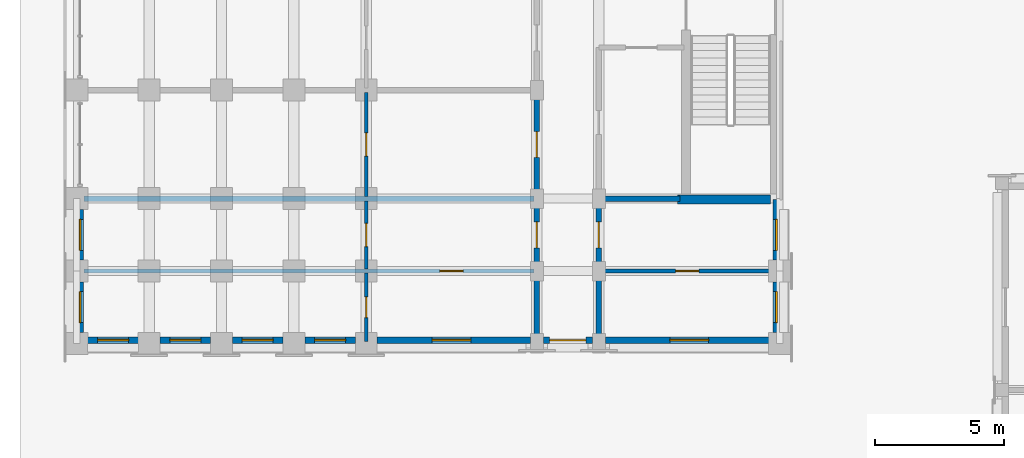
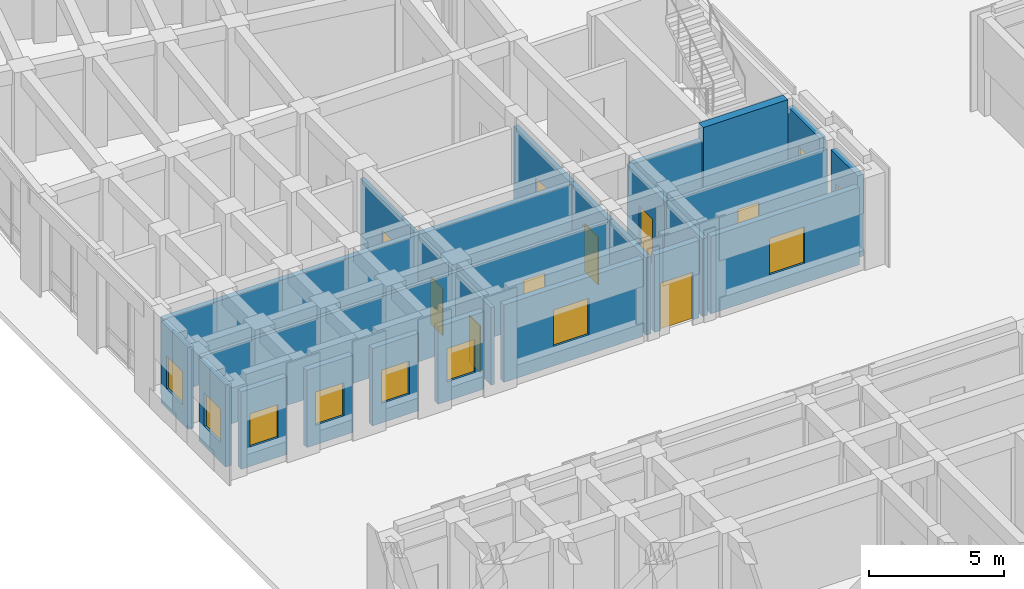
# One storey, part 97 of 135: 24 walls, 10 windows, 9 doors, 19 openings.
"""IFC4 building model written with IfcOpenShell, lengths in metres."""

from ifc_helpers import new_model, si_unit, direction, frame, frame_2d, origin, place, context, subcontext, project, spatial, rectangle, extrude, material, layer, layer_set, type_object, element, fill, save


model = new_model("IFC4")

# Units and contexts
model_context = context("Model", 3, precision=1e-05, world=origin(), true_north=direction((0.0, 1.0)))
body_context = subcontext(model_context, "Body", "Model", "MODEL_VIEW")
ifc_project = project(units=[si_unit("LENGTHUNIT", "METRE"), si_unit("AREAUNIT", "SQUARE_METRE"), si_unit("VOLUMEUNIT", "CUBIC_METRE"), si_unit("PLANEANGLEUNIT", "RADIAN"), si_unit("MASSUNIT", "GRAM", prefix="KILO")], contexts=[model_context])

# Site, building, storey
site_placement = place(None, origin())
site = spatial("IfcSite", under=ifc_project, at=site_placement, CompositionType="ELEMENT")
building_placement = place(site_placement, origin())
building = spatial("IfcBuilding", under=site, at=building_placement, Name="Kiranvali Square Residences", CompositionType="ELEMENT")
storey_placement = place(building_placement, origin())
storey = spatial("IfcBuildingStorey", under=building, at=storey_placement, Name="L00", CompositionType="ELEMENT", Elevation=0.0)

# Wall, opening, door
ifc_material_1 = material(Name="Autoclaved aerated concrete blockwork masonry", Category="masonry")
ifc_layer_1 = layer(ifc_material_1, 0.199951171875)
ifc_layer_set_1 = layer_set([ifc_layer_1], Name="Autoclaved aerated concrete blockwork masonry")
wall_type_1 = type_object("IfcWallType", Name="WL-COR-200", PredefinedType="STANDARD", material=ifc_layer_set_1)
wall_1_placement = place(storey_placement, frame((20.0, 83.60009765625, 0.0), z_axis=(0.0, 0.0, 1.0), x_axis=(0.0, -1.0, 0.0)))
wall_1 = element("IfcWall", 1, at=wall_1_placement, inside=storey, type_object=wall_type_1, Name="L00 architectural wall WL-L00-A-A2CF-C1", PredefinedType="STANDARD", context=body_context, shape_type="SweptSolid", body=[
    extrude(rectangle(XDim=4.2001953125, YDim=0.199951171875, at=frame_2d((2.10009765625, 0.0))), origin(), (0.0, 0.0, 1.0), 3.491943359375),
])
opening_1_placement = place(wall_1_placement, frame((1.60009765625, 0.0, 0.0)))
opening_1 = element("IfcOpeningElement", 2, at=opening_1_placement, cuts=wall_1, Name="Opening FD-APT-60", PredefinedType="OPENING", context=body_context, shape_type="SweptSolid", body=[
    extrude(rectangle(XDim=1.0, YDim=2.14990234375, at=frame_2d((0.5, 1.074951171875))), frame((0.0, 0.10986328125, 0.0), z_axis=(0.0, -1.0, 0.0), x_axis=(1.0, 0.0, 0.0)), (0.0, 0.0, 1.0), 0.219970703125),
])
ifc_material_2 = material(Name="Fire-rated acoustic hardwood and mineral-core door assembly", Category="wood")
door_type_1 = type_object("IfcDoorType", Name="DR-APT-1000", OperationType="NOTDEFINED", PredefinedType="DOOR", material=ifc_material_2)
door_1_placement = place(opening_1_placement, frame((1.0, 0.0, 0.0), z_axis=(0.0, 0.0, 1.0), x_axis=(-1.0, 0.0, 0.0)))
door_1 = element("IfcDoor", 3, at=door_1_placement, inside=storey, type_object=door_type_1, Name="L00 door DR-L00-0088 (DR-APT-1000)", OperationType="SINGLE_SWING_RIGHT", OverallHeight=2.14990234375, OverallWidth=1.0, PredefinedType="DOOR", context=body_context, shape_type="SweptSolid", body=[
    extrude(rectangle(XDim=1.0, YDim=2.14990234375, at=frame_2d((0.5, 1.074951171875))), frame((0.0, 0.02490234375, 0.0), z_axis=(0.0, -1.0, 0.0), x_axis=(1.0, 0.0, 0.0)), (0.0, 0.0, 1.0), 0.050048828125),
])
fill(opening_1, door_1)

wall_2_placement = place(storey_placement, frame((22.39990234375, 79.39990234375, 0.0), z_axis=(0.0, 0.0, 1.0), x_axis=(0.0, -1.0, 0.0)))
wall_2 = element("IfcWall", 4, at=wall_2_placement, inside=storey, type_object=wall_type_1, Name="L00 architectural wall WL-L00-A-A2CI-0", PredefinedType="STANDARD", context=body_context, shape_type="SweptSolid", body=[
    extrude(rectangle(XDim=2.7998046875, YDim=0.199951171875, at=frame_2d((1.39990234375, 0.0))), origin(), (0.0, 0.0, 1.0), 3.491943359375),
])
opening_2_placement = place(wall_2_placement, frame((0.89990234375, 0.0, 0.0)))
opening_2 = element("IfcOpeningElement", 5, at=opening_2_placement, cuts=wall_2, Name="Opening FD-APT-60", PredefinedType="OPENING", context=body_context, shape_type="SweptSolid", body=[
    extrude(rectangle(XDim=1.0, YDim=2.14990234375, at=frame_2d((0.5, 1.074951171875))), frame((0.0, 0.10986328125, 0.0), z_axis=(0.0, -1.0, 0.0), x_axis=(1.0, 0.0, 0.0)), (0.0, 0.0, 1.0), 0.219970703125),
])
door_2_placement = place(opening_2_placement, frame((1.0, 0.0, 0.0), z_axis=(0.0, 0.0, 1.0), x_axis=(-1.0, 0.0, 0.0)))
door_2 = element("IfcDoor", 6, at=door_2_placement, inside=storey, type_object=door_type_1, Name="L00 door DR-L00-0090 (DR-APT-1000)", OperationType="SINGLE_SWING_RIGHT", OverallHeight=2.14990234375, OverallWidth=1.0, PredefinedType="DOOR", context=body_context, shape_type="SweptSolid", body=[
    extrude(rectangle(XDim=1.0, YDim=2.14990234375, at=frame_2d((0.5, 1.074951171875))), frame((0.0, 0.02490234375, 0.0), z_axis=(0.0, -1.0, 0.0), x_axis=(1.0, 0.0, 0.0)), (0.0, 0.0, 1.0), 0.050048828125),
])
fill(opening_2, door_2)

wall_3_placement = place(storey_placement, frame((20.0, 79.39990234375, 0.0), z_axis=(0.0, 0.0, 1.0), x_axis=(0.0, -1.0, 0.0)))
wall_3 = element("IfcWall", 7, at=wall_3_placement, inside=storey, type_object=wall_type_1, Name="L00 architectural wall WL-L00-A-A2CO-0", PredefinedType="STANDARD", context=body_context, shape_type="SweptSolid", body=[
    extrude(rectangle(XDim=2.7998046875, YDim=0.199951171875, at=frame_2d((1.39990234375, 0.0))), origin(), (0.0, 0.0, 1.0), 3.491943359375),
])
opening_3_placement = place(wall_3_placement, frame((0.89990234375, 0.0, 0.0)))
opening_3 = element("IfcOpeningElement", 8, at=opening_3_placement, cuts=wall_3, Name="Opening FD-APT-60", PredefinedType="OPENING", context=body_context, shape_type="SweptSolid", body=[
    extrude(rectangle(XDim=1.0, YDim=2.14990234375, at=frame_2d((0.5, 1.074951171875))), frame((0.0, 0.10986328125, 0.0), z_axis=(0.0, -1.0, 0.0), x_axis=(1.0, 0.0, 0.0)), (0.0, 0.0, 1.0), 0.219970703125),
])
door_3_placement = place(opening_3_placement, frame((1.0, 0.0, 0.0), z_axis=(0.0, 0.0, 1.0), x_axis=(-1.0, 0.0, 0.0)))
door_3 = element("IfcDoor", 9, at=door_3_placement, inside=storey, type_object=door_type_1, Name="L00 door DR-L00-0092 (DR-APT-1000)", OperationType="SINGLE_SWING_RIGHT", OverallHeight=2.14990234375, OverallWidth=1.0, PredefinedType="DOOR", context=body_context, shape_type="SweptSolid", body=[
    extrude(rectangle(XDim=1.0, YDim=2.14990234375, at=frame_2d((0.5, 1.074951171875))), frame((0.0, 0.02490234375, 0.0), z_axis=(0.0, -1.0, 0.0), x_axis=(1.0, 0.0, 0.0)), (0.0, 0.0, 1.0), 0.050048828125),
])
fill(opening_3, door_3)

# Walls
for number, where, z_axis, x_axis, name in (
    (10, (22.39990234375, 76.60009765625, 0.0), (0.0, 0.0, 1.0), (0.0, -1.0, 0.0), "L00 architectural wall WL-L00-A-A2CI-1"),
    (11, (20.0, 76.60009765625, 0.0), (0.0, 0.0, 1.0), (0.0, -1.0, 0.0), "L00 architectural wall WL-L00-A-A2CO-1"),
):
    element("IfcWall", number, at=place(storey_placement, frame(where, z_axis=z_axis, x_axis=x_axis)), inside=storey, type_object=wall_type_1, Name=name, PredefinedType="STANDARD", context=body_context, shape_type="SweptSolid", body=[
        extrude(rectangle(XDim=2.800048828125, YDim=0.199951171875, at=frame_2d((1.39990234375, 0.0))), origin(), (0.0, 0.0, 1.0), 3.491943359375),
    ])
ifc_layer_2 = layer(ifc_material_1, 0.219970703125)
ifc_layer_set_2 = layer_set([ifc_layer_2], Name="Autoclaved aerated concrete blockwork masonry")
wall_type_2 = type_object("IfcWallType", Name="WL-DEM-220", PredefinedType="STANDARD", material=ifc_layer_set_2)
wall_4_placement = place(storey_placement, frame((25.550048828125, 79.39990234375, 0.0), z_axis=(0.0, 0.0, 1.0), x_axis=(-1.0, 0.0, 0.0)))
element("IfcWall", 12, at=wall_4_placement, inside=storey, type_object=wall_type_2, Name="L00 architectural wall WL-L00-A-A2TI-0", PredefinedType="STANDARD", context=body_context, shape_type="SweptSolid", body=[
    extrude(rectangle(XDim=3.10009765625, YDim=0.219970703125, at=frame_2d((1.550048828125, 0.0))), origin(), (0.0, 0.0, 1.0), 3.491943359375),
])
wall_5_placement = place(storey_placement, frame((19.89990234375, 79.39990234375, 0.0), z_axis=(0.0, 0.0, 1.0), x_axis=(-1.0, 0.0, 0.0)))
element("IfcWall", 13, at=wall_5_placement, inside=storey, type_object=wall_type_2, Name="L00 architectural wall WL-L00-A-A2TO-0", PredefinedType="STANDARD", context=body_context, shape_type="SweptSolid", body=[
    extrude(rectangle(XDim=17.419921875, YDim=0.219970703125, at=frame_2d((8.7099609375, 0.0))), origin(), (0.0, 0.0, 1.0), 3.491943359375),
])

# Wall, opening, window
ifc_material_3 = material(Name="Breathable lime-rendered clay brick masonry", Category="masonry")
ifc_layer_3 = layer(ifc_material_3, 0.25)
ifc_layer_set_3 = layer_set([ifc_layer_3], Name="Breathable lime-rendered clay brick masonry")
wall_type_3 = type_object("IfcWallType", Name="WL-EXT-250", PredefinedType="STANDARD", material=ifc_layer_set_3)
wall_6_placement = place(storey_placement, frame((2.324951171875, 78.97998046875, 0.0), z_axis=(0.0, 0.0, 1.0), x_axis=(0.0, -1.0, 0.0)))
wall_6 = element("IfcWall", 14, at=wall_6_placement, inside=storey, type_object=wall_type_3, Name="L00 exterior wall A-L00-A2O-2", PredefinedType="STANDARD", context=body_context, shape_type="SweptSolid", body=[
    extrude(rectangle(XDim=1.9599609375, YDim=0.25, at=frame_2d((0.97998046875, 0.0))), origin(), (0.0, 0.0, 1.0), 3.69189453125),
])
opening_4_placement = place(wall_6_placement, frame((0.3798828125, 0.0, 0.8798828125)))
opening_4 = element("IfcOpeningElement", 15, at=opening_4_placement, cuts=wall_6, Name="Opening W-06", PredefinedType="OPENING", context=body_context, shape_type="SweptSolid", body=[
    extrude(rectangle(XDim=1.199951171875, YDim=1.5, at=frame_2d((0.60009765625, 0.75))), frame((0.0, 0.135009765625, 0.0), z_axis=(0.0, -1.0, 0.0), x_axis=(1.0, 0.0, 0.0)), (0.0, 0.0, 1.0), 0.27001953125),
])
ifc_material_4 = material(Name="Solar-control low-e double glazing", Category="glass")
window_type_1 = type_object("IfcWindowType", Name="WIN-RES-1200x1500", PartitioningType="SINGLE_PANEL", PredefinedType="WINDOW", material=ifc_material_4)
window_1_placement = place(opening_4_placement, origin())
window_1 = element("IfcWindow", 16, at=window_1_placement, inside=storey, type_object=window_type_1, Name="L00 recessed window A-L00-A2O-2", OverallHeight=1.5, OverallWidth=1.199951171875, PartitioningType="SINGLE_PANEL", PredefinedType="WINDOW", context=body_context, shape_type="SweptSolid", body=[
    extrude(rectangle(XDim=1.199951171875, YDim=1.5, at=frame_2d((0.60009765625, 0.75))), frame((0.0, 0.030029296875, 0.0), z_axis=(0.0, -1.0, 0.0), x_axis=(1.0, 0.0, 0.0)), (0.0, 0.0, 1.0), 0.06005859375),
])
fill(opening_4, window_1)

wall_7_placement = place(storey_placement, frame((2.324951171875, 76.179931640625, 0.0), z_axis=(0.0, 0.0, 1.0), x_axis=(0.0, -1.0, 0.0)))
wall_7 = element("IfcWall", 17, at=wall_7_placement, inside=storey, type_object=wall_type_3, Name="L00 exterior wall A-L00-A2O-3", PredefinedType="STANDARD", context=body_context, shape_type="SweptSolid", body=[
    extrude(rectangle(XDim=1.9599609375, YDim=0.25, at=frame_2d((0.97998046875, 0.0))), origin(), (0.0, 0.0, 1.0), 3.69189453125),
])
opening_5_placement = place(wall_7_placement, frame((0.3798828125, 0.0, 0.8798828125)))
opening_5 = element("IfcOpeningElement", 18, at=opening_5_placement, cuts=wall_7, Name="Opening W-06", PredefinedType="OPENING", context=body_context, shape_type="SweptSolid", body=[
    extrude(rectangle(XDim=1.199951171875, YDim=1.5, at=frame_2d((0.60009765625, 0.75))), frame((0.0, 0.135009765625, 0.0), z_axis=(0.0, -1.0, 0.0), x_axis=(1.0, 0.0, 0.0)), (0.0, 0.0, 1.0), 0.27001953125),
])
window_2_placement = place(opening_5_placement, origin())
window_2 = element("IfcWindow", 19, at=window_2_placement, inside=storey, type_object=window_type_1, Name="L00 recessed window A-L00-A2O-3", OverallHeight=1.5, OverallWidth=1.199951171875, PartitioningType="SINGLE_PANEL", PredefinedType="WINDOW", context=body_context, shape_type="SweptSolid", body=[
    extrude(rectangle(XDim=1.199951171875, YDim=1.5, at=frame_2d((0.60009765625, 0.75))), frame((0.0, 0.030029296875, 0.0), z_axis=(0.0, -1.0, 0.0), x_axis=(1.0, 0.0, 0.0)), (0.0, 0.0, 1.0), 0.06005859375),
])
fill(opening_5, window_2)

wall_8_placement = place(storey_placement, frame((29.27490234375, 79.37158203125, 0.0), z_axis=(0.0, 0.0, 1.0), x_axis=(0.0, -1.0, 0.0)))
wall_8 = element("IfcWall", 20, at=wall_8_placement, inside=storey, type_object=wall_type_3, Name="L00 exterior wall A-L00-A2I-0", PredefinedType="STANDARD", context=body_context, shape_type="SweptSolid", body=[
    extrude(rectangle(XDim=2.3515625, YDim=0.25, at=frame_2d((1.17578125, 0.0))), origin(), (0.0, 0.0, 1.0), 3.69189453125),
])
opening_6_placement = place(wall_8_placement, frame((0.771484375, 0.0, 0.8798828125)))
opening_6 = element("IfcOpeningElement", 21, at=opening_6_placement, cuts=wall_8, Name="Opening W-06", PredefinedType="OPENING", context=body_context, shape_type="SweptSolid", body=[
    extrude(rectangle(XDim=1.199951171875, YDim=1.5, at=frame_2d((0.60009765625, 0.75))), frame((0.0, 0.135009765625, 0.0), z_axis=(0.0, -1.0, 0.0), x_axis=(1.0, 0.0, 0.0)), (0.0, 0.0, 1.0), 0.27001953125),
])
window_3_placement = place(opening_6_placement, origin())
window_3 = element("IfcWindow", 22, at=window_3_placement, inside=storey, type_object=window_type_1, Name="L00 recessed window A-L00-A2I-0", OverallHeight=1.5, OverallWidth=1.199951171875, PartitioningType="SINGLE_PANEL", PredefinedType="WINDOW", context=body_context, shape_type="SweptSolid", body=[
    extrude(rectangle(XDim=1.199951171875, YDim=1.5, at=frame_2d((0.60009765625, 0.75))), frame((0.0, 0.030029296875, 0.0), z_axis=(0.0, -1.0, 0.0), x_axis=(1.0, 0.0, 0.0)), (0.0, 0.0, 1.0), 0.06005859375),
])
fill(opening_6, window_3)

wall_9_placement = place(storey_placement, frame((29.27490234375, 76.179931640625, 0.0), z_axis=(0.0, 0.0, 1.0), x_axis=(0.0, -1.0, 0.0)))
wall_9 = element("IfcWall", 23, at=wall_9_placement, inside=storey, type_object=wall_type_3, Name="L00 exterior wall A-L00-A2I-1", PredefinedType="STANDARD", context=body_context, shape_type="SweptSolid", body=[
    extrude(rectangle(XDim=1.9599609375, YDim=0.25, at=frame_2d((0.97998046875, 0.0))), origin(), (0.0, 0.0, 1.0), 3.69189453125),
])
opening_7_placement = place(wall_9_placement, frame((0.3798828125, 0.0, 0.8798828125)))
opening_7 = element("IfcOpeningElement", 24, at=opening_7_placement, cuts=wall_9, Name="Opening W-06", PredefinedType="OPENING", context=body_context, shape_type="SweptSolid", body=[
    extrude(rectangle(XDim=1.199951171875, YDim=1.5, at=frame_2d((0.60009765625, 0.75))), frame((0.0, 0.135009765625, 0.0), z_axis=(0.0, -1.0, 0.0), x_axis=(1.0, 0.0, 0.0)), (0.0, 0.0, 1.0), 0.27001953125),
])
window_4_placement = place(opening_7_placement, origin())
window_4 = element("IfcWindow", 25, at=window_4_placement, inside=storey, type_object=window_type_1, Name="L00 recessed window A-L00-A2I-1", OverallHeight=1.5, OverallWidth=1.199951171875, PartitioningType="SINGLE_PANEL", PredefinedType="WINDOW", context=body_context, shape_type="SweptSolid", body=[
    extrude(rectangle(XDim=1.199951171875, YDim=1.5, at=frame_2d((0.60009765625, 0.75))), frame((0.0, 0.030029296875, 0.0), z_axis=(0.0, -1.0, 0.0), x_axis=(1.0, 0.0, 0.0)), (0.0, 0.0, 1.0), 0.06005859375),
])
fill(opening_7, window_4)

wall_10_placement = place(storey_placement, frame((28.97998046875, 73.925048828125, 0.0), z_axis=(0.0, 0.0, 1.0), x_axis=(-1.0, 0.0, 0.0)))
wall_10 = element("IfcWall", 26, at=wall_10_placement, inside=storey, type_object=wall_type_3, Name="L00 exterior wall A-L00-A2END-0", PredefinedType="STANDARD", context=body_context, shape_type="SweptSolid", body=[
    extrude(rectangle(XDim=6.326416015625, YDim=0.25, at=frame_2d((3.1630859375, 0.0))), origin(), (0.0, 0.0, 1.0), 3.491943359375),
])
opening_8_placement = place(wall_10_placement, frame((2.330078125, 0.0, 0.8798828125)))
opening_8 = element("IfcOpeningElement", 27, at=opening_8_placement, cuts=wall_10, Name="Opening W-05", PredefinedType="OPENING", context=body_context, shape_type="SweptSolid", body=[
    extrude(rectangle(XDim=1.5, YDim=1.64990234375, at=frame_2d((0.75, 0.824951171875))), frame((0.0, 0.135009765625, 0.0), z_axis=(0.0, -1.0, 0.0), x_axis=(1.0, 0.0, 0.0)), (0.0, 0.0, 1.0), 0.27001953125),
])
window_type_2 = type_object("IfcWindowType", Name="WIN-RES-1500x1650", PartitioningType="DOUBLE_PANEL_VERTICAL", PredefinedType="WINDOW", material=ifc_material_4)
window_5_placement = place(opening_8_placement, origin())
window_5 = element("IfcWindow", 28, at=window_5_placement, inside=storey, type_object=window_type_2, Name="L00 recessed window A-L00-A2END-0", OverallHeight=1.64990234375, OverallWidth=1.5, PartitioningType="DOUBLE_PANEL_VERTICAL", PredefinedType="WINDOW", context=body_context, shape_type="SweptSolid", body=[
    extrude(rectangle(XDim=1.5, YDim=1.64990234375, at=frame_2d((0.75, 0.824951171875))), frame((0.0, 0.030029296875, 0.0), z_axis=(0.0, -1.0, 0.0), x_axis=(1.0, 0.0, 0.0)), (0.0, 0.0, 1.0), 0.06005859375),
])
fill(opening_8, window_5)

# Wall, opening, door
wall_11_placement = place(storey_placement, frame((22.146484375, 73.925048828125, 0.0), z_axis=(0.0, 0.0, 1.0), x_axis=(-1.0, 0.0, 0.0)))
wall_11 = element("IfcWall", 29, at=wall_11_placement, inside=storey, type_object=wall_type_3, Name="L00 exterior wall A-L00-A2END-1", PredefinedType="STANDARD", context=body_context, shape_type="SweptSolid", body=[
    extrude(rectangle(XDim=1.89306640625, YDim=0.25, at=frame_2d((0.946533203125, 0.0))), origin(), (0.0, 0.0, 1.0), 3.491943359375),
])
opening_9_placement = place(wall_11_placement, frame((0.25, 0.0, 0.0)))
opening_9 = element("IfcOpeningElement", 30, at=opening_9_placement, cuts=wall_11, Name="Opening ED-EX-140", PredefinedType="OPENING", context=body_context, shape_type="SweptSolid", body=[
    extrude(rectangle(XDim=1.39990234375, YDim=2.14990234375, at=frame_2d((0.699951171875, 1.074951171875))), frame((0.0, 0.135009765625, 0.0), z_axis=(0.0, -1.0, 0.0), x_axis=(1.0, 0.0, 0.0)), (0.0, 0.0, 1.0), 0.27001953125),
])
door_type_2 = type_object("IfcDoorType", Name="DR-EXIT-1400", OperationType="NOTDEFINED", PredefinedType="DOOR", material=ifc_material_2)
door_4_placement = place(opening_9_placement, origin())
door_4 = element("IfcDoor", 31, at=door_4_placement, inside=storey, type_object=door_type_2, Name="Block A street gateway final exit door", OperationType="SINGLE_SWING_LEFT", OverallHeight=2.14990234375, OverallWidth=1.39990234375, PredefinedType="DOOR", context=body_context, shape_type="SweptSolid", body=[
    extrude(rectangle(XDim=1.39990234375, YDim=2.14990234375, at=frame_2d((0.699951171875, 1.074951171875))), frame((0.0, 0.02490234375, 0.0), z_axis=(0.0, -1.0, 0.0), x_axis=(1.0, 0.0, 0.0)), (0.0, 0.0, 1.0), 0.050048828125),
])
fill(opening_9, door_4)

# Wall, opening, window
wall_12_placement = place(storey_placement, frame((19.74658203125, 73.925048828125, 0.0), z_axis=(0.0, 0.0, 1.0), x_axis=(-1.0, 0.0, 0.0)))
wall_12 = element("IfcWall", 32, at=wall_12_placement, inside=storey, type_object=wall_type_3, Name="L00 exterior wall A-L00-A2END-2", PredefinedType="STANDARD", context=body_context, shape_type="SweptSolid", body=[
    extrude(rectangle(XDim=5.926513671875, YDim=0.25, at=frame_2d((2.96337890625, 0.0))), origin(), (0.0, 0.0, 1.0), 3.491943359375),
])
opening_10_placement = place(wall_12_placement, frame((2.29638671875, 0.0, 0.8798828125)))
opening_10 = element("IfcOpeningElement", 33, at=opening_10_placement, cuts=wall_12, Name="Opening W-05", PredefinedType="OPENING", context=body_context, shape_type="SweptSolid", body=[
    extrude(rectangle(XDim=1.5, YDim=1.64990234375, at=frame_2d((0.75, 0.824951171875))), frame((0.0, 0.135009765625, 0.0), z_axis=(0.0, -1.0, 0.0), x_axis=(1.0, 0.0, 0.0)), (0.0, 0.0, 1.0), 0.27001953125),
])
window_6_placement = place(opening_10_placement, origin())
window_6 = element("IfcWindow", 34, at=window_6_placement, inside=storey, type_object=window_type_2, Name="L00 recessed window A-L00-A2END-2", OverallHeight=1.64990234375, OverallWidth=1.5, PartitioningType="DOUBLE_PANEL_VERTICAL", PredefinedType="WINDOW", context=body_context, shape_type="SweptSolid", body=[
    extrude(rectangle(XDim=1.5, YDim=1.64990234375, at=frame_2d((0.75, 0.824951171875))), frame((0.0, 0.030029296875, 0.0), z_axis=(0.0, -1.0, 0.0), x_axis=(1.0, 0.0, 0.0)), (0.0, 0.0, 1.0), 0.06005859375),
])
fill(opening_10, window_6)

wall_13_placement = place(storey_placement, frame((12.97998046875, 73.925048828125, 0.0), z_axis=(0.0, 0.0, 1.0), x_axis=(-1.0, 0.0, 0.0)))
wall_13 = element("IfcWall", 35, at=wall_13_placement, inside=storey, type_object=wall_type_3, Name="L00 exterior wall A-L00-A2END-3", PredefinedType="STANDARD", context=body_context, shape_type="SweptSolid", body=[
    extrude(rectangle(XDim=1.9599609375, YDim=0.25, at=frame_2d((0.97998046875, 0.0))), origin(), (0.0, 0.0, 1.0), 3.491943359375),
])
opening_11_placement = place(wall_13_placement, frame((0.3798828125, 0.0, 0.8798828125)))
opening_11 = element("IfcOpeningElement", 36, at=opening_11_placement, cuts=wall_13, Name="Opening W-06", PredefinedType="OPENING", context=body_context, shape_type="SweptSolid", body=[
    extrude(rectangle(XDim=1.199951171875, YDim=1.5, at=frame_2d((0.60009765625, 0.75))), frame((0.0, 0.135009765625, 0.0), z_axis=(0.0, -1.0, 0.0), x_axis=(1.0, 0.0, 0.0)), (0.0, 0.0, 1.0), 0.27001953125),
])
window_7_placement = place(opening_11_placement, origin())
window_7 = element("IfcWindow", 37, at=window_7_placement, inside=storey, type_object=window_type_1, Name="L00 recessed window A-L00-A2END-3", OverallHeight=1.5, OverallWidth=1.199951171875, PartitioningType="SINGLE_PANEL", PredefinedType="WINDOW", context=body_context, shape_type="SweptSolid", body=[
    extrude(rectangle(XDim=1.199951171875, YDim=1.5, at=frame_2d((0.60009765625, 0.75))), frame((0.0, 0.030029296875, 0.0), z_axis=(0.0, -1.0, 0.0), x_axis=(1.0, 0.0, 0.0)), (0.0, 0.0, 1.0), 0.06005859375),
])
fill(opening_11, window_7)

wall_14_placement = place(storey_placement, frame((10.179931640625, 73.925048828125, 0.0), z_axis=(0.0, 0.0, 1.0), x_axis=(-1.0, 0.0, 0.0)))
wall_14 = element("IfcWall", 38, at=wall_14_placement, inside=storey, type_object=wall_type_3, Name="L00 exterior wall A-L00-A2END-4", PredefinedType="STANDARD", context=body_context, shape_type="SweptSolid", body=[
    extrude(rectangle(XDim=1.9599609375, YDim=0.25, at=frame_2d((0.97998046875, 0.0))), origin(), (0.0, 0.0, 1.0), 3.491943359375),
])
opening_12_placement = place(wall_14_placement, frame((0.3798828125, 0.0, 0.8798828125)))
opening_12 = element("IfcOpeningElement", 39, at=opening_12_placement, cuts=wall_14, Name="Opening W-06", PredefinedType="OPENING", context=body_context, shape_type="SweptSolid", body=[
    extrude(rectangle(XDim=1.199951171875, YDim=1.5, at=frame_2d((0.60009765625, 0.75))), frame((0.0, 0.135009765625, 0.0), z_axis=(0.0, -1.0, 0.0), x_axis=(1.0, 0.0, 0.0)), (0.0, 0.0, 1.0), 0.27001953125),
])
window_8_placement = place(opening_12_placement, origin())
window_8 = element("IfcWindow", 40, at=window_8_placement, inside=storey, type_object=window_type_1, Name="L00 recessed window A-L00-A2END-4", OverallHeight=1.5, OverallWidth=1.199951171875, PartitioningType="SINGLE_PANEL", PredefinedType="WINDOW", context=body_context, shape_type="SweptSolid", body=[
    extrude(rectangle(XDim=1.199951171875, YDim=1.5, at=frame_2d((0.60009765625, 0.75))), frame((0.0, 0.030029296875, 0.0), z_axis=(0.0, -1.0, 0.0), x_axis=(1.0, 0.0, 0.0)), (0.0, 0.0, 1.0), 0.06005859375),
])
fill(opening_12, window_8)

wall_15_placement = place(storey_placement, frame((7.3798828125, 73.925048828125, 0.0), z_axis=(0.0, 0.0, 1.0), x_axis=(-1.0, 0.0, 0.0)))
wall_15 = element("IfcWall", 41, at=wall_15_placement, inside=storey, type_object=wall_type_3, Name="L00 exterior wall A-L00-A2END-5", PredefinedType="STANDARD", context=body_context, shape_type="SweptSolid", body=[
    extrude(rectangle(XDim=1.9599609375, YDim=0.25, at=frame_2d((0.97998046875, 0.0))), origin(), (0.0, 0.0, 1.0), 3.491943359375),
])
opening_13_placement = place(wall_15_placement, frame((0.3798828125, 0.0, 0.8798828125)))
opening_13 = element("IfcOpeningElement", 42, at=opening_13_placement, cuts=wall_15, Name="Opening W-06", PredefinedType="OPENING", context=body_context, shape_type="SweptSolid", body=[
    extrude(rectangle(XDim=1.199951171875, YDim=1.5, at=frame_2d((0.60009765625, 0.75))), frame((0.0, 0.135009765625, 0.0), z_axis=(0.0, -1.0, 0.0), x_axis=(1.0, 0.0, 0.0)), (0.0, 0.0, 1.0), 0.27001953125),
])
window_9_placement = place(opening_13_placement, origin())
window_9 = element("IfcWindow", 43, at=window_9_placement, inside=storey, type_object=window_type_1, Name="L00 recessed window A-L00-A2END-5", OverallHeight=1.5, OverallWidth=1.199951171875, PartitioningType="SINGLE_PANEL", PredefinedType="WINDOW", context=body_context, shape_type="SweptSolid", body=[
    extrude(rectangle(XDim=1.199951171875, YDim=1.5, at=frame_2d((0.60009765625, 0.75))), frame((0.0, 0.030029296875, 0.0), z_axis=(0.0, -1.0, 0.0), x_axis=(1.0, 0.0, 0.0)), (0.0, 0.0, 1.0), 0.06005859375),
])
fill(opening_13, window_9)

wall_16_placement = place(storey_placement, frame((4.580078125, 73.925048828125, 0.0), z_axis=(0.0, 0.0, 1.0), x_axis=(-1.0, 0.0, 0.0)))
wall_16 = element("IfcWall", 44, at=wall_16_placement, inside=storey, type_object=wall_type_3, Name="L00 exterior wall A-L00-A2END-6", PredefinedType="STANDARD", context=body_context, shape_type="SweptSolid", body=[
    extrude(rectangle(XDim=1.9599609375, YDim=0.25, at=frame_2d((0.97998046875, 0.0))), origin(), (0.0, 0.0, 1.0), 3.491943359375),
])
opening_14_placement = place(wall_16_placement, frame((0.3798828125, 0.0, 0.8798828125)))
opening_14 = element("IfcOpeningElement", 45, at=opening_14_placement, cuts=wall_16, Name="Opening W-06", PredefinedType="OPENING", context=body_context, shape_type="SweptSolid", body=[
    extrude(rectangle(XDim=1.199951171875, YDim=1.5, at=frame_2d((0.60009765625, 0.75))), frame((0.0, 0.135009765625, 0.0), z_axis=(0.0, -1.0, 0.0), x_axis=(1.0, 0.0, 0.0)), (0.0, 0.0, 1.0), 0.27001953125),
])
window_10_placement = place(opening_14_placement, origin())
window_10 = element("IfcWindow", 46, at=window_10_placement, inside=storey, type_object=window_type_1, Name="L00 recessed window A-L00-A2END-6", OverallHeight=1.5, OverallWidth=1.199951171875, PartitioningType="SINGLE_PANEL", PredefinedType="WINDOW", context=body_context, shape_type="SweptSolid", body=[
    extrude(rectangle(XDim=1.199951171875, YDim=1.5, at=frame_2d((0.60009765625, 0.75))), frame((0.0, 0.030029296875, 0.0), z_axis=(0.0, -1.0, 0.0), x_axis=(1.0, 0.0, 0.0)), (0.0, 0.0, 1.0), 0.06005859375),
])
fill(opening_14, window_10)

# Wall, opening, door
ifc_material_5 = material(Name="Acoustic gypsum board drylined partition", Category="gypsum")
ifc_layer_4 = layer(ifc_material_5, 0.14990234375)
ifc_layer_set_4 = layer_set([ifc_layer_4], Name="Acoustic gypsum board drylined partition")
wall_type_4 = type_object("IfcWallType", Name="WL-PRT-150", PredefinedType="PARTITIONING", material=ifc_layer_set_4)
wall_17_placement = place(storey_placement, frame((13.39990234375, 83.52001953125, 0.0), z_axis=(0.0, 0.0, 1.0), x_axis=(0.0, -1.0, 0.0)))
wall_17 = element("IfcWall", 47, at=wall_17_placement, inside=storey, type_object=wall_type_4, Name="L00 architectural wall WL-L00-A-A2CF-SP1", PredefinedType="PARTITIONING", context=body_context, shape_type="SweptSolid", body=[
    extrude(rectangle(XDim=4.0400390625, YDim=0.14990234375, at=frame_2d((2.02001953125, 0.0))), origin(), (0.0, 0.0, 1.0), 3.491943359375),
])
opening_15_placement = place(wall_17_placement, frame((1.570068359375, 0.0, 0.0)))
opening_15 = element("IfcOpeningElement", 48, at=opening_15_placement, cuts=wall_17, Name="Opening ID-1", PredefinedType="OPENING", context=body_context, shape_type="SweptSolid", body=[
    extrude(rectangle(XDim=0.89990234375, YDim=2.10009765625, at=frame_2d((0.449951171875, 1.050048828125))), frame((0.0, 0.0849609375, 0.0), z_axis=(0.0, -1.0, 0.0), x_axis=(1.0, 0.0, 0.0)), (0.0, 0.0, 1.0), 0.169921875),
])
ifc_material_6 = material(Name="Solid seasoned teak hardwood joinery", Category="wood")
door_type_3 = type_object("IfcDoorType", Name="DR-INT-900", OperationType="NOTDEFINED", PredefinedType="DOOR", material=ifc_material_6)
door_5_placement = place(opening_15_placement, origin())
door_5 = element("IfcDoor", 49, at=door_5_placement, inside=storey, type_object=door_type_3, Name="L00 door DR-L00-0089 (DR-INT-900)", OperationType="SINGLE_SWING_LEFT", OverallHeight=2.10009765625, OverallWidth=0.89990234375, PredefinedType="DOOR", context=body_context, shape_type="SweptSolid", body=[
    extrude(rectangle(XDim=0.89990234375, YDim=2.10009765625, at=frame_2d((0.449951171875, 1.050048828125))), frame((0.0, 0.02490234375, 0.0), z_axis=(0.0, -1.0, 0.0), x_axis=(1.0, 0.0, 0.0)), (0.0, 0.0, 1.0), 0.050048828125),
])
fill(opening_15, door_5)

wall_18_placement = place(storey_placement, frame((29.199951171875, 76.60009765625, 0.0), z_axis=(0.0, 0.0, 1.0), x_axis=(-1.0, 0.0, 0.0)))
wall_18 = element("IfcWall", 50, at=wall_18_placement, inside=storey, type_object=wall_type_4, Name="L00 architectural wall WL-L00-A-A2TI-1", PredefinedType="PARTITIONING", context=body_context, shape_type="SweptSolid", body=[
    extrude(rectangle(XDim=6.75, YDim=0.14990234375, at=frame_2d((3.375, 0.0))), origin(), (0.0, 0.0, 1.0), 3.491943359375),
])
opening_16_placement = place(wall_18_placement, frame((2.925048828125, 0.0, 0.0)))
opening_16 = element("IfcOpeningElement", 51, at=opening_16_placement, cuts=wall_18, Name="Opening ID-1", PredefinedType="OPENING", context=body_context, shape_type="SweptSolid", body=[
    extrude(rectangle(XDim=0.89990234375, YDim=2.10009765625, at=frame_2d((0.449951171875, 1.050048828125))), frame((0.0, 0.0849609375, 0.0), z_axis=(0.0, -1.0, 0.0), x_axis=(1.0, 0.0, 0.0)), (0.0, 0.0, 1.0), 0.169921875),
])
door_6_placement = place(opening_16_placement, frame((0.89990234375, 0.0, 0.0), z_axis=(0.0, 0.0, 1.0), x_axis=(-1.0, 0.0, 0.0)))
door_6 = element("IfcDoor", 52, at=door_6_placement, inside=storey, type_object=door_type_3, Name="L00 door DR-L00-0094 (DR-INT-900)", OperationType="SINGLE_SWING_RIGHT", OverallHeight=2.10009765625, OverallWidth=0.89990234375, PredefinedType="DOOR", context=body_context, shape_type="SweptSolid", body=[
    extrude(rectangle(XDim=0.89990234375, YDim=2.10009765625, at=frame_2d((0.449951171875, 1.050048828125))), frame((0.0, 0.02490234375, 0.0), z_axis=(0.0, -1.0, 0.0), x_axis=(1.0, 0.0, 0.0)), (0.0, 0.0, 1.0), 0.050048828125),
])
fill(opening_16, door_6)

wall_19_placement = place(storey_placement, frame((19.89990234375, 76.60009765625, 0.0), z_axis=(0.0, 0.0, 1.0), x_axis=(-1.0, 0.0, 0.0)))
wall_19 = element("IfcWall", 53, at=wall_19_placement, inside=storey, type_object=wall_type_4, Name="L00 architectural wall WL-L00-A-A2TO-1", PredefinedType="PARTITIONING", context=body_context, shape_type="SweptSolid", body=[
    extrude(rectangle(XDim=17.419921875, YDim=0.14990234375, at=frame_2d((8.7099609375, 0.0))), origin(), (0.0, 0.0, 1.0), 3.491943359375),
])
opening_17_placement = place(wall_19_placement, frame((2.75, 0.0, 0.0)))
opening_17 = element("IfcOpeningElement", 54, at=opening_17_placement, cuts=wall_19, Name="Opening ID-1", PredefinedType="OPENING", context=body_context, shape_type="SweptSolid", body=[
    extrude(rectangle(XDim=0.89990234375, YDim=2.10009765625, at=frame_2d((0.449951171875, 1.050048828125))), frame((0.0, 0.0849609375, 0.0), z_axis=(0.0, -1.0, 0.0), x_axis=(1.0, 0.0, 0.0)), (0.0, 0.0, 1.0), 0.169921875),
])
door_7_placement = place(opening_17_placement, origin())
door_7 = element("IfcDoor", 55, at=door_7_placement, inside=storey, type_object=door_type_3, Name="L00 door DR-L00-0095 (DR-INT-900)", OperationType="SINGLE_SWING_LEFT", OverallHeight=2.10009765625, OverallWidth=0.89990234375, PredefinedType="DOOR", context=body_context, shape_type="SweptSolid", body=[
    extrude(rectangle(XDim=0.89990234375, YDim=2.10009765625, at=frame_2d((0.449951171875, 1.050048828125))), frame((0.0, 0.02490234375, 0.0), z_axis=(0.0, -1.0, 0.0), x_axis=(1.0, 0.0, 0.0)), (0.0, 0.0, 1.0), 0.050048828125),
])
fill(opening_17, door_7)

# Wall
ifc_material_7 = material(Name="Concrete M50 (50 MPa)", Category="concrete")
ifc_layer_5 = layer(ifc_material_7, 0.35009765625)
ifc_layer_set_5 = layer_set([ifc_layer_5], Name="Concrete M50 (50 MPa)")
wall_type_5 = type_object("IfcWallType", Name="WL-SHR-350", PredefinedType="SHEAR", material=ifc_layer_set_5)
wall_20_placement = place(storey_placement, frame((29.050048828125, 79.375, 0.0), z_axis=(0.0, 0.0, 1.0), x_axis=(-1.0, 0.0, 0.0)))
element("IfcWall", 56, at=wall_20_placement, inside=storey, type_object=wall_type_5, Name="Block A core shear wall SW-A3-FAR-L00", PredefinedType="SHEAR", context=body_context, shape_type="SweptSolid", body=[
    extrude(rectangle(XDim=3.60009765625, YDim=0.35009765625, at=frame_2d((1.800048828125, 0.0))), origin(), (0.0, 0.0, 1.0), 4.14990234375),
])

# Wall, opening, door
ifc_layer_6 = layer(ifc_material_1, 0.14990234375)
ifc_layer_set_6 = layer_set([ifc_layer_6], Name="Autoclaved aerated concrete blockwork masonry")
wall_type_6 = type_object("IfcWallType", Name="WL-WET-150", PredefinedType="PLUMBINGWALL", material=ifc_layer_set_6)
wall_21_placement = place(storey_placement, frame((13.39990234375, 79.320068359375, 0.0), z_axis=(0.0, 0.0, 1.0), x_axis=(0.0, -1.0, 0.0)))
wall_21 = element("IfcWall", 57, at=wall_21_placement, inside=storey, type_object=wall_type_6, Name="L00 architectural wall WL-L00-A-A2SP-0", PredefinedType="PLUMBINGWALL", context=body_context, shape_type="SweptSolid", body=[
    extrude(rectangle(XDim=2.64013671875, YDim=0.14990234375, at=frame_2d((1.320068359375, 0.0))), origin(), (0.0, 0.0, 1.0), 3.491943359375),
])
opening_18_placement = place(wall_21_placement, frame((0.8701171875, 0.0, 0.0)))
opening_18 = element("IfcOpeningElement", 58, at=opening_18_placement, cuts=wall_21, Name="Opening ID-1", PredefinedType="OPENING", context=body_context, shape_type="SweptSolid", body=[
    extrude(rectangle(XDim=0.89990234375, YDim=2.10009765625, at=frame_2d((0.449951171875, 1.050048828125))), frame((0.0, 0.0849609375, 0.0), z_axis=(0.0, -1.0, 0.0), x_axis=(1.0, 0.0, 0.0)), (0.0, 0.0, 1.0), 0.169921875),
])
door_8_placement = place(opening_18_placement, origin())
door_8 = element("IfcDoor", 59, at=door_8_placement, inside=storey, type_object=door_type_3, Name="L00 door DR-L00-0091 (DR-INT-900)", OperationType="SINGLE_SWING_LEFT", OverallHeight=2.10009765625, OverallWidth=0.89990234375, PredefinedType="DOOR", context=body_context, shape_type="SweptSolid", body=[
    extrude(rectangle(XDim=0.89990234375, YDim=2.10009765625, at=frame_2d((0.449951171875, 1.050048828125))), frame((0.0, 0.02490234375, 0.0), z_axis=(0.0, -1.0, 0.0), x_axis=(1.0, 0.0, 0.0)), (0.0, 0.0, 1.0), 0.050048828125),
])
fill(opening_18, door_8)

wall_22_placement = place(storey_placement, frame((13.39990234375, 76.52001953125, 0.0), z_axis=(0.0, 0.0, 1.0), x_axis=(0.0, -1.0, 0.0)))
wall_22 = element("IfcWall", 60, at=wall_22_placement, inside=storey, type_object=wall_type_6, Name="L00 architectural wall WL-L00-A-A2SP-1", PredefinedType="PLUMBINGWALL", context=body_context, shape_type="SweptSolid", body=[
    extrude(rectangle(XDim=2.64013671875, YDim=0.14990234375, at=frame_2d((1.320068359375, 0.0))), origin(), (0.0, 0.0, 1.0), 3.491943359375),
])
opening_19_placement = place(wall_22_placement, frame((0.919921875, 0.0, 0.0)))
opening_19 = element("IfcOpeningElement", 61, at=opening_19_placement, cuts=wall_22, Name="Opening ID-WET", PredefinedType="OPENING", context=body_context, shape_type="SweptSolid", body=[
    extrude(rectangle(XDim=0.800048828125, YDim=2.10009765625, at=frame_2d((0.39990234375, 1.050048828125))), frame((0.0, 0.0849609375, 0.0), z_axis=(0.0, -1.0, 0.0), x_axis=(1.0, 0.0, 0.0)), (0.0, 0.0, 1.0), 0.169921875),
])
door_type_4 = type_object("IfcDoorType", Name="DR-WET-800", OperationType="NOTDEFINED", PredefinedType="DOOR", material=ifc_material_6)
door_9_placement = place(opening_19_placement, origin())
door_9 = element("IfcDoor", 62, at=door_9_placement, inside=storey, type_object=door_type_4, Name="L00 door DR-L00-0093 (DR-WET-800)", OperationType="SINGLE_SWING_LEFT", OverallHeight=2.10009765625, OverallWidth=0.800048828125, PredefinedType="DOOR", context=body_context, shape_type="SweptSolid", body=[
    extrude(rectangle(XDim=0.800048828125, YDim=2.10009765625, at=frame_2d((0.39990234375, 1.050048828125))), frame((0.0, 0.02490234375, 0.0), z_axis=(0.0, -1.0, 0.0), x_axis=(1.0, 0.0, 0.0)), (0.0, 0.0, 1.0), 0.050048828125),
])
fill(opening_19, door_9)

save(model, "model.ifc")
